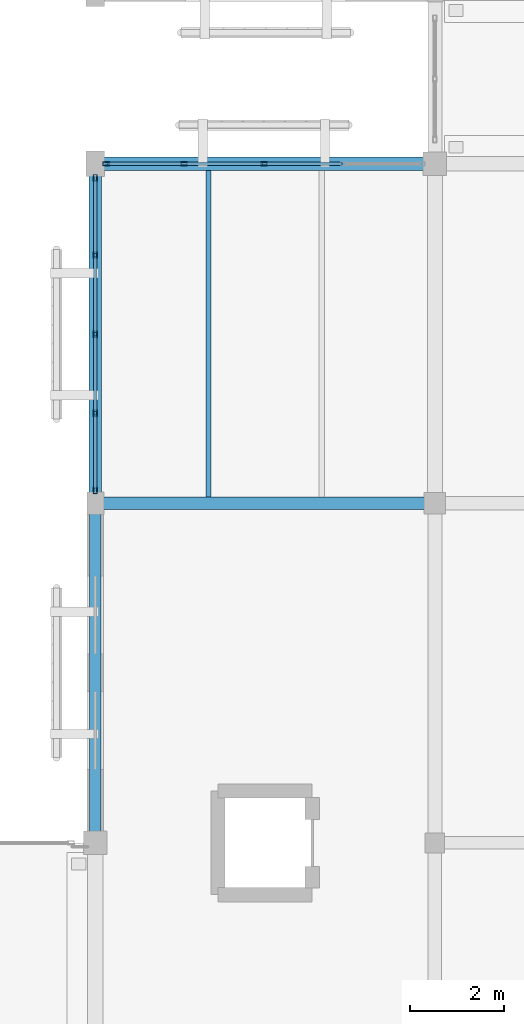
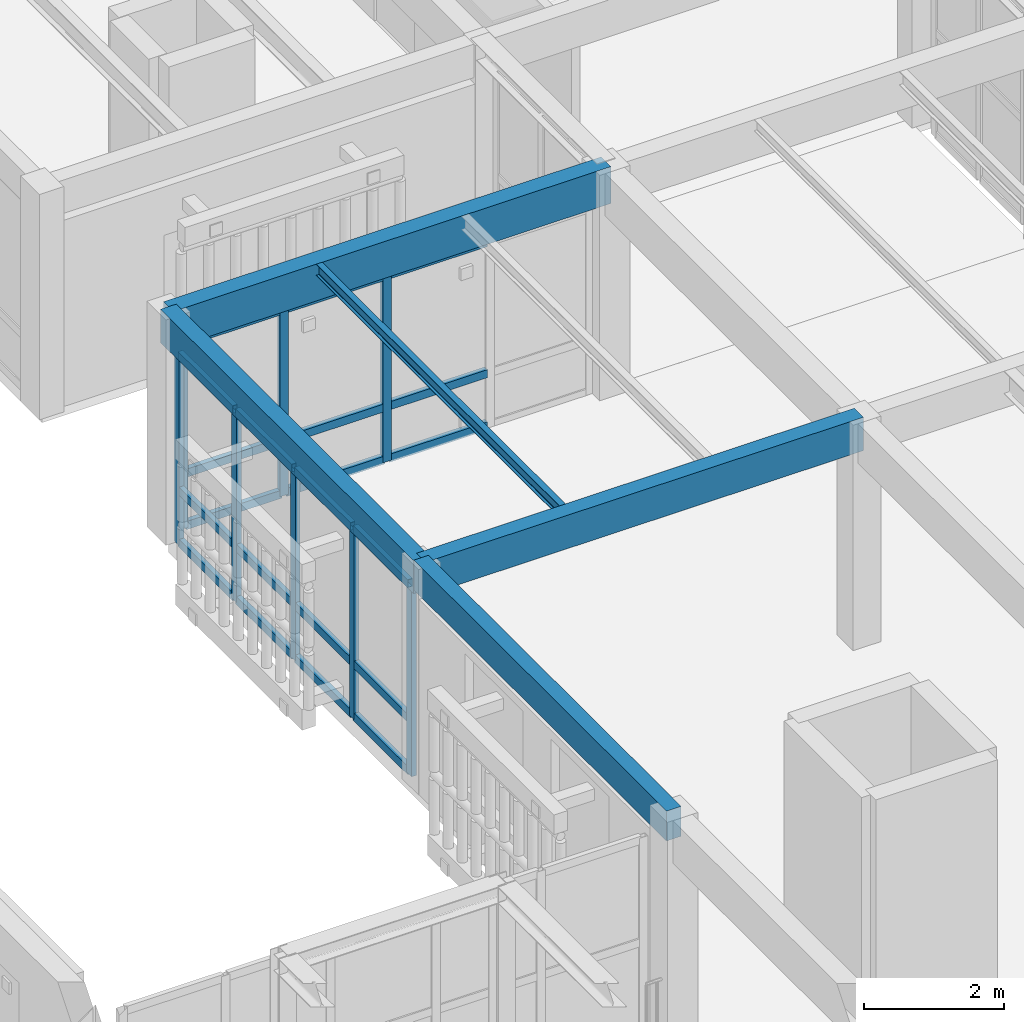
# One storey, part 52 of 217: 29 members, 5 beams, 2 elements without a shape of their own.
"""IFC4 building model written with IfcOpenShell, lengths in metres."""

from ifc_helpers import new_model, si_unit, direction, frame, origin, origin_2d, place, context, subcontext, project, spatial, rectangle, hollow_rectangle, i_section, extrude, material, layer, layer_set, material_profile, profile_set, type_object, element, aggregate, save


model = new_model("IFC4")

# Units and contexts
model_context = context("Model", 3, precision=1e-05, world=origin(), true_north=direction((0.0, 1.0)))
body_context = subcontext(model_context, "Body", "Model", "MODEL_VIEW")
ifc_project = project(units=[si_unit("LENGTHUNIT", "METRE"), si_unit("AREAUNIT", "SQUARE_METRE"), si_unit("VOLUMEUNIT", "CUBIC_METRE"), si_unit("PLANEANGLEUNIT", "RADIAN"), si_unit("MASSUNIT", "GRAM", prefix="KILO")], contexts=[model_context])

# Site, building, storey
site_placement = place(None, origin())
site = spatial("IfcSite", under=ifc_project, at=site_placement, CompositionType="ELEMENT")
building_placement = place(site_placement, origin())
building = spatial("IfcBuilding", under=site, at=building_placement, Name="Mazaris Harbour Polytechnic", CompositionType="ELEMENT")
storey_placement = place(building_placement, frame((0.0, 0.0, 9.60009765625)))
storey = spatial("IfcBuildingStorey", under=building, at=storey_placement, Name="L02", CompositionType="ELEMENT", Elevation=9.60009765625)

# Curtain wall, members
ifc_material_1 = material(Name="Anodised Bronze Aluminium and Low-E Glass", Category="aluminium")
ifc_layer = layer(ifc_material_1, 0.159912109375, Name="Anodised Bronze Aluminium and Low-E Glass")
ifc_layer_set = layer_set([ifc_layer], Name="Anodised Bronze Aluminium and Low-E Glass")
curtain_wall_type = type_object("IfcCurtainWallType", Name="Cloister Court Curtain Wall", PredefinedType="NOTDEFINED", material=ifc_layer_set)
curtain_wall_1_placement = place(storey_placement, origin())
curtain_wall_1 = element("IfcCurtainWall", 1, at=curtain_wall_1_placement, inside=storey, type_object=curtain_wall_type, Name="V2 L02 Curtain Wall 49", PredefinedType="NOTDEFINED")
ifc_material_2 = material(Name="Anodised Bronze Steel S355", Category="steel")
ifc_material_profile_1 = material_profile(ifc_material_2, hollow_rectangle(XDim=0.080078125, YDim=0.139892578125, WallThickness=0.00634765625, at=origin_2d()), Name="RHS 80x140x6.3")
ifc_profile_set_1 = profile_set([ifc_material_profile_1], Name="Anodised Bronze Steel S355")
member_type_1 = type_object("IfcMemberType", Name="Curtain Mullion RHS80x140", PredefinedType="MULLION", material=ifc_profile_set_1)
member_1_placement = place(storey_placement, frame((122.632080078125, 43.199951171875, 0.0), z_axis=(0.0, 0.0, 1.0), x_axis=(0.0, 1.0, 0.0)))
member_1 = element("IfcMember", 2, at=member_1_placement, type_object=member_type_1, Name="CW-02 mullion 1", PredefinedType="MULLION", context=body_context, shape_type="SweptSolid", body=[
    extrude(hollow_rectangle(XDim=0.080078125, YDim=0.139892578125, WallThickness=0.00634765625, at=origin_2d()), origin(), (0.0, 0.0, 1.0), 3.27001953125),
])
member_2_placement = place(storey_placement, frame((124.283447265625, 43.199951171875, 0.0), z_axis=(0.0, 0.0, 1.0), x_axis=(0.0, 1.0, 0.0)))
member_2 = element("IfcMember", 3, at=member_2_placement, type_object=member_type_1, Name="CW-02 mullion 2", PredefinedType="MULLION", context=body_context, shape_type="SweptSolid", body=[
    extrude(hollow_rectangle(XDim=0.080078125, YDim=0.139892578125, WallThickness=0.00634765625, at=origin_2d()), origin(), (0.0, 0.0, 1.0), 3.27001953125),
])
member_3_placement = place(storey_placement, frame((125.97509765625, 43.199951171875, 0.0), z_axis=(0.0, 0.0, 1.0), x_axis=(0.0, 1.0, 0.0)))
member_3 = element("IfcMember", 4, at=member_3_placement, type_object=member_type_1, Name="CW-02 mullion 3", PredefinedType="MULLION", context=body_context, shape_type="SweptSolid", body=[
    extrude(hollow_rectangle(XDim=0.080078125, YDim=0.139892578125, WallThickness=0.00634765625, at=origin_2d()), origin(), (0.0, 0.0, 1.0), 3.27001953125),
])

curtain_wall_2_placement = place(storey_placement, origin())
curtain_wall_2 = element("IfcCurtainWall", 5, at=curtain_wall_2_placement, inside=storey, type_object=curtain_wall_type, Name="V2 L02 Curtain Wall 54", PredefinedType="NOTDEFINED")
member_4_placement = place(storey_placement, frame((122.39990234375, 36.27197265625, 0.0), z_axis=(0.0, 0.0, 1.0), x_axis=(-1.0, 0.0, 0.0)))
member_4 = element("IfcMember", 6, at=member_4_placement, type_object=member_type_1, Name="CW-02 mullion 1", PredefinedType="MULLION", context=body_context, shape_type="SweptSolid", body=[
    extrude(hollow_rectangle(XDim=0.080078125, YDim=0.139892578125, WallThickness=0.00634765625, at=origin_2d()), origin(), (0.0, 0.0, 1.0), 3.329833984375),
])
member_5_placement = place(storey_placement, frame((122.39990234375, 37.908447265625, 0.0), z_axis=(0.0, 0.0, 1.0), x_axis=(-1.0, 0.0, 0.0)))
member_5 = element("IfcMember", 7, at=member_5_placement, type_object=member_type_1, Name="CW-02 mullion 2", PredefinedType="MULLION", context=body_context, shape_type="SweptSolid", body=[
    extrude(hollow_rectangle(XDim=0.080078125, YDim=0.139892578125, WallThickness=0.00634765625, at=origin_2d()), origin(), (0.0, 0.0, 1.0), 3.329833984375),
])
member_6_placement = place(storey_placement, frame((122.39990234375, 39.5849609375, 0.0), z_axis=(0.0, 0.0, 1.0), x_axis=(-1.0, 0.0, 0.0)))
member_6 = element("IfcMember", 8, at=member_6_placement, type_object=member_type_1, Name="CW-02 mullion 3", PredefinedType="MULLION", context=body_context, shape_type="SweptSolid", body=[
    extrude(hollow_rectangle(XDim=0.080078125, YDim=0.139892578125, WallThickness=0.00634765625, at=origin_2d()), origin(), (0.0, 0.0, 1.0), 3.329833984375),
])
member_7_placement = place(storey_placement, frame((122.39990234375, 41.261474609375, 0.0), z_axis=(0.0, 0.0, 1.0), x_axis=(-1.0, 0.0, 0.0)))
member_7 = element("IfcMember", 9, at=member_7_placement, type_object=member_type_1, Name="CW-02 mullion 4", PredefinedType="MULLION", context=body_context, shape_type="SweptSolid", body=[
    extrude(hollow_rectangle(XDim=0.080078125, YDim=0.139892578125, WallThickness=0.00634765625, at=origin_2d()), origin(), (0.0, 0.0, 1.0), 3.329833984375),
])
member_8_placement = place(storey_placement, frame((122.39990234375, 42.89794921875, 0.0), z_axis=(0.0, 0.0, 1.0), x_axis=(-1.0, 0.0, 0.0)))
member_8 = element("IfcMember", 10, at=member_8_placement, type_object=member_type_1, Name="CW-02 mullion 5", PredefinedType="MULLION", context=body_context, shape_type="SweptSolid", body=[
    extrude(hollow_rectangle(XDim=0.080078125, YDim=0.139892578125, WallThickness=0.00634765625, at=origin_2d()), origin(), (0.0, 0.0, 1.0), 3.329833984375),
])

# Member
ifc_material_3 = material(Name="Anodised Bronze Steel S355", Category="steel")
ifc_material_profile_2 = material_profile(ifc_material_3, hollow_rectangle(XDim=0.080078125, YDim=0.139892578125, WallThickness=0.00634765625, at=origin_2d()), Name="RHS 80x140x6.3")
ifc_profile_set_2 = profile_set([ifc_material_profile_2], Name="Anodised Bronze Steel S355")
member_type_2 = type_object("IfcMemberType", Name="Curtain Transom RHS80x140", PredefinedType="USERDEFINED", material=ifc_profile_set_2)
member_9_placement = place(storey_placement, frame((122.672119140625, 43.199951171875, 0.039794921875), z_axis=(1.0, 0.0, 0.0), x_axis=(0.0, 1.0, 0.0)))
member_9 = element("IfcMember", 11, at=member_9_placement, type_object=member_type_2, Name="CW-02 transom 1.1", ObjectType="TRANSOM", PredefinedType="USERDEFINED", context=body_context, shape_type="SweptSolid", body=[
    extrude(hollow_rectangle(XDim=0.080078125, YDim=0.139892578125, WallThickness=0.00634765625, at=origin_2d()), origin(), (0.0, 0.0, 1.0), 1.5712890625),
])

member_10_placement = place(storey_placement, frame((122.672119140625, 43.199951171875, 0.949951171875), z_axis=(1.0, 0.0, 0.0), x_axis=(0.0, 1.0, 0.0)))
member_10 = element("IfcMember", 12, at=member_10_placement, type_object=member_type_2, Name="CW-02 transom 1.2", ObjectType="TRANSOM", PredefinedType="USERDEFINED", context=body_context, shape_type="SweptSolid", body=[
    extrude(hollow_rectangle(XDim=0.080078125, YDim=0.139892578125, WallThickness=0.00634765625, at=origin_2d()), origin(), (0.0, 0.0, 1.0), 1.5712890625),
])

member_11_placement = place(storey_placement, frame((122.672119140625, 43.199951171875, 3.22998046875), z_axis=(1.0, 0.0, 0.0), x_axis=(0.0, 1.0, 0.0)))
member_11 = element("IfcMember", 13, at=member_11_placement, type_object=member_type_2, Name="CW-02 transom 1.3", ObjectType="TRANSOM", PredefinedType="USERDEFINED", context=body_context, shape_type="SweptSolid", body=[
    extrude(hollow_rectangle(XDim=0.080078125, YDim=0.139892578125, WallThickness=0.00634765625, at=origin_2d()), origin(), (0.0, 0.0, 1.0), 1.5712890625),
])

member_12_placement = place(storey_placement, frame((124.323486328125, 43.199951171875, 0.039794921875), z_axis=(1.0, 0.0, 0.0), x_axis=(0.0, 1.0, 0.0)))
member_12 = element("IfcMember", 14, at=member_12_placement, type_object=member_type_2, Name="CW-02 transom 2.1", ObjectType="TRANSOM", PredefinedType="USERDEFINED", context=body_context, shape_type="SweptSolid", body=[
    extrude(hollow_rectangle(XDim=0.080078125, YDim=0.139892578125, WallThickness=0.00634765625, at=origin_2d()), origin(), (0.0, 0.0, 1.0), 1.611572265625),
])

member_13_placement = place(storey_placement, frame((124.323486328125, 43.199951171875, 0.949951171875), z_axis=(1.0, 0.0, 0.0), x_axis=(0.0, 1.0, 0.0)))
member_13 = element("IfcMember", 15, at=member_13_placement, type_object=member_type_2, Name="CW-02 transom 2.2", ObjectType="TRANSOM", PredefinedType="USERDEFINED", context=body_context, shape_type="SweptSolid", body=[
    extrude(hollow_rectangle(XDim=0.080078125, YDim=0.139892578125, WallThickness=0.00634765625, at=origin_2d()), origin(), (0.0, 0.0, 1.0), 1.611572265625),
])

member_14_placement = place(storey_placement, frame((124.323486328125, 43.199951171875, 3.22998046875), z_axis=(1.0, 0.0, 0.0), x_axis=(0.0, 1.0, 0.0)))
member_14 = element("IfcMember", 16, at=member_14_placement, type_object=member_type_2, Name="CW-02 transom 2.3", ObjectType="TRANSOM", PredefinedType="USERDEFINED", context=body_context, shape_type="SweptSolid", body=[
    extrude(hollow_rectangle(XDim=0.080078125, YDim=0.139892578125, WallThickness=0.00634765625, at=origin_2d()), origin(), (0.0, 0.0, 1.0), 1.611572265625),
])

member_15_placement = place(storey_placement, frame((126.014892578125, 43.199951171875, 0.039794921875), z_axis=(1.0, 0.0, 0.0), x_axis=(0.0, 1.0, 0.0)))
member_15 = element("IfcMember", 17, at=member_15_placement, type_object=member_type_2, Name="CW-02 transom 3.1", ObjectType="TRANSOM", PredefinedType="USERDEFINED", context=body_context, shape_type="SweptSolid", body=[
    extrude(hollow_rectangle(XDim=0.080078125, YDim=0.139892578125, WallThickness=0.00634765625, at=origin_2d()), origin(), (0.0, 0.0, 1.0), 1.611572265625),
])

member_16_placement = place(storey_placement, frame((126.014892578125, 43.199951171875, 0.949951171875), z_axis=(1.0, 0.0, 0.0), x_axis=(0.0, 1.0, 0.0)))
member_16 = element("IfcMember", 18, at=member_16_placement, type_object=member_type_2, Name="CW-02 transom 3.2", ObjectType="TRANSOM", PredefinedType="USERDEFINED", context=body_context, shape_type="SweptSolid", body=[
    extrude(hollow_rectangle(XDim=0.080078125, YDim=0.139892578125, WallThickness=0.00634765625, at=origin_2d()), origin(), (0.0, 0.0, 1.0), 1.611572265625),
])

member_17_placement = place(storey_placement, frame((126.014892578125, 43.199951171875, 3.22998046875), z_axis=(1.0, 0.0, 0.0), x_axis=(0.0, 1.0, 0.0)))
member_17 = element("IfcMember", 19, at=member_17_placement, type_object=member_type_2, Name="CW-02 transom 3.3", ObjectType="TRANSOM", PredefinedType="USERDEFINED", context=body_context, shape_type="SweptSolid", body=[
    extrude(hollow_rectangle(XDim=0.080078125, YDim=0.139892578125, WallThickness=0.00634765625, at=origin_2d()), origin(), (0.0, 0.0, 1.0), 1.611572265625),
])

aggregate(curtain_wall_1, [member_1, member_2, member_3, member_9, member_10, member_11, member_12, member_13, member_14, member_15, member_16, member_17])

member_18_placement = place(storey_placement, frame((122.39990234375, 36.31201171875, 0.039794921875), z_axis=(0.0, 1.0, 0.0), x_axis=(-1.0, 0.0, 0.0)))
member_18 = element("IfcMember", 20, at=member_18_placement, type_object=member_type_2, Name="CW-02 transom 1.1", ObjectType="TRANSOM", PredefinedType="USERDEFINED", context=body_context, shape_type="SweptSolid", body=[
    extrude(hollow_rectangle(XDim=0.080078125, YDim=0.139892578125, WallThickness=0.00634765625, at=origin_2d()), origin(), (0.0, 0.0, 1.0), 1.556396484375),
])

member_19_placement = place(storey_placement, frame((122.39990234375, 36.31201171875, 0.949951171875), z_axis=(0.0, 1.0, 0.0), x_axis=(-1.0, 0.0, 0.0)))
member_19 = element("IfcMember", 21, at=member_19_placement, type_object=member_type_2, Name="CW-02 transom 1.2", ObjectType="TRANSOM", PredefinedType="USERDEFINED", context=body_context, shape_type="SweptSolid", body=[
    extrude(hollow_rectangle(XDim=0.080078125, YDim=0.139892578125, WallThickness=0.00634765625, at=origin_2d()), origin(), (0.0, 0.0, 1.0), 1.556396484375),
])

member_20_placement = place(storey_placement, frame((122.39990234375, 36.31201171875, 3.289794921875), z_axis=(0.0, 1.0, 0.0), x_axis=(-1.0, 0.0, 0.0)))
member_20 = element("IfcMember", 22, at=member_20_placement, type_object=member_type_2, Name="CW-02 transom 1.3", ObjectType="TRANSOM", PredefinedType="USERDEFINED", context=body_context, shape_type="SweptSolid", body=[
    extrude(hollow_rectangle(XDim=0.080078125, YDim=0.139892578125, WallThickness=0.00634765625, at=origin_2d()), origin(), (0.0, 0.0, 1.0), 1.556396484375),
])

member_21_placement = place(storey_placement, frame((122.39990234375, 37.948486328125, 0.039794921875), z_axis=(0.0, 1.0, 0.0), x_axis=(-1.0, 0.0, 0.0)))
member_21 = element("IfcMember", 23, at=member_21_placement, type_object=member_type_2, Name="CW-02 transom 2.1", ObjectType="TRANSOM", PredefinedType="USERDEFINED", context=body_context, shape_type="SweptSolid", body=[
    extrude(hollow_rectangle(XDim=0.080078125, YDim=0.139892578125, WallThickness=0.00634765625, at=origin_2d()), origin(), (0.0, 0.0, 1.0), 1.596435546875),
])

member_22_placement = place(storey_placement, frame((122.39990234375, 37.948486328125, 0.949951171875), z_axis=(0.0, 1.0, 0.0), x_axis=(-1.0, 0.0, 0.0)))
member_22 = element("IfcMember", 24, at=member_22_placement, type_object=member_type_2, Name="CW-02 transom 2.2", ObjectType="TRANSOM", PredefinedType="USERDEFINED", context=body_context, shape_type="SweptSolid", body=[
    extrude(hollow_rectangle(XDim=0.080078125, YDim=0.139892578125, WallThickness=0.00634765625, at=origin_2d()), origin(), (0.0, 0.0, 1.0), 1.596435546875),
])

member_23_placement = place(storey_placement, frame((122.39990234375, 37.948486328125, 3.289794921875), z_axis=(0.0, 1.0, 0.0), x_axis=(-1.0, 0.0, 0.0)))
member_23 = element("IfcMember", 25, at=member_23_placement, type_object=member_type_2, Name="CW-02 transom 2.3", ObjectType="TRANSOM", PredefinedType="USERDEFINED", context=body_context, shape_type="SweptSolid", body=[
    extrude(hollow_rectangle(XDim=0.080078125, YDim=0.139892578125, WallThickness=0.00634765625, at=origin_2d()), origin(), (0.0, 0.0, 1.0), 1.596435546875),
])

member_24_placement = place(storey_placement, frame((122.39990234375, 39.625, 0.039794921875), z_axis=(0.0, 1.0, 0.0), x_axis=(-1.0, 0.0, 0.0)))
member_24 = element("IfcMember", 26, at=member_24_placement, type_object=member_type_2, Name="CW-02 transom 3.1", ObjectType="TRANSOM", PredefinedType="USERDEFINED", context=body_context, shape_type="SweptSolid", body=[
    extrude(hollow_rectangle(XDim=0.080078125, YDim=0.139892578125, WallThickness=0.00634765625, at=origin_2d()), origin(), (0.0, 0.0, 1.0), 1.596435546875),
])

member_25_placement = place(storey_placement, frame((122.39990234375, 39.625, 0.949951171875), z_axis=(0.0, 1.0, 0.0), x_axis=(-1.0, 0.0, 0.0)))
member_25 = element("IfcMember", 27, at=member_25_placement, type_object=member_type_2, Name="CW-02 transom 3.2", ObjectType="TRANSOM", PredefinedType="USERDEFINED", context=body_context, shape_type="SweptSolid", body=[
    extrude(hollow_rectangle(XDim=0.080078125, YDim=0.139892578125, WallThickness=0.00634765625, at=origin_2d()), origin(), (0.0, 0.0, 1.0), 1.596435546875),
])

member_26_placement = place(storey_placement, frame((122.39990234375, 39.625, 3.289794921875), z_axis=(0.0, 1.0, 0.0), x_axis=(-1.0, 0.0, 0.0)))
member_26 = element("IfcMember", 28, at=member_26_placement, type_object=member_type_2, Name="CW-02 transom 3.3", ObjectType="TRANSOM", PredefinedType="USERDEFINED", context=body_context, shape_type="SweptSolid", body=[
    extrude(hollow_rectangle(XDim=0.080078125, YDim=0.139892578125, WallThickness=0.00634765625, at=origin_2d()), origin(), (0.0, 0.0, 1.0), 1.596435546875),
])

member_27_placement = place(storey_placement, frame((122.39990234375, 41.301513671875, 0.039794921875), z_axis=(0.0, 1.0, 0.0), x_axis=(-1.0, 0.0, 0.0)))
member_27 = element("IfcMember", 29, at=member_27_placement, type_object=member_type_2, Name="CW-02 transom 4.1", ObjectType="TRANSOM", PredefinedType="USERDEFINED", context=body_context, shape_type="SweptSolid", body=[
    extrude(hollow_rectangle(XDim=0.080078125, YDim=0.139892578125, WallThickness=0.00634765625, at=origin_2d()), origin(), (0.0, 0.0, 1.0), 1.556396484375),
])

member_28_placement = place(storey_placement, frame((122.39990234375, 41.301513671875, 0.949951171875), z_axis=(0.0, 1.0, 0.0), x_axis=(-1.0, 0.0, 0.0)))
member_28 = element("IfcMember", 30, at=member_28_placement, type_object=member_type_2, Name="CW-02 transom 4.2", ObjectType="TRANSOM", PredefinedType="USERDEFINED", context=body_context, shape_type="SweptSolid", body=[
    extrude(hollow_rectangle(XDim=0.080078125, YDim=0.139892578125, WallThickness=0.00634765625, at=origin_2d()), origin(), (0.0, 0.0, 1.0), 1.556396484375),
])

member_29_placement = place(storey_placement, frame((122.39990234375, 41.301513671875, 3.289794921875), z_axis=(0.0, 1.0, 0.0), x_axis=(-1.0, 0.0, 0.0)))
member_29 = element("IfcMember", 31, at=member_29_placement, type_object=member_type_2, Name="CW-02 transom 4.3", ObjectType="TRANSOM", PredefinedType="USERDEFINED", context=body_context, shape_type="SweptSolid", body=[
    extrude(hollow_rectangle(XDim=0.080078125, YDim=0.139892578125, WallThickness=0.00634765625, at=origin_2d()), origin(), (0.0, 0.0, 1.0), 1.556396484375),
])

aggregate(curtain_wall_2, [member_4, member_5, member_6, member_7, member_8, member_18, member_19, member_20, member_21, member_22, member_23, member_24, member_25, member_26, member_27, member_28, member_29])

# Beams
ifc_material_4 = material(Name="Glulam GL32h", Category="wood")
ifc_material_profile_3 = material_profile(ifc_material_4, rectangle(XDim=0.239990234375, YDim=0.52001953125, at=origin_2d()), Name="RECT240x520")
ifc_profile_set_3 = profile_set([ifc_material_profile_3], Name="Glulam GL32h")
beam_type_1 = type_object("IfcBeamType", Name="Glulam Girder 240x520 Exterior", PredefinedType="BEAM", material=ifc_profile_set_3)
beam_1_placement = place(storey_placement, frame((122.39990234375, 28.800048828125, 3.659912109375), z_axis=(0.0, 1.0, 0.0), x_axis=(-1.0, 0.0, 0.0)))
element("IfcBeam", 32, at=beam_1_placement, inside=storey, type_object=beam_type_1, Name="V2 L02 Tie Girder 675", PredefinedType="BEAM", context=body_context, shape_type="SweptSolid", body=[
    extrude(rectangle(XDim=0.239990234375, YDim=0.52001953125, at=origin_2d()), origin(), (0.0, 0.0, 1.0), 7.199951171875),
])
ifc_material_5 = material(Name="Glulam GL32h", Category="wood")
ifc_material_profile_4 = material_profile(ifc_material_5, rectangle(XDim=0.260009765625, YDim=0.580078125, at=origin_2d()), Name="RECT260x580")
ifc_profile_set_4 = profile_set([ifc_material_profile_4], Name="Glulam GL32h")
beam_type_2 = type_object("IfcBeamType", Name="Glulam Girder 260x580", PredefinedType="BEAM", material=ifc_profile_set_4)
beam_2_placement = place(storey_placement, frame((122.39990234375, 36.0, 3.6298828125), z_axis=(1.0, 0.0, 0.0), x_axis=(0.0, 1.0, 0.0)))
element("IfcBeam", 33, at=beam_2_placement, inside=storey, type_object=beam_type_2, Name="V2 L02 Girder 661", PredefinedType="BEAM", context=body_context, shape_type="SweptSolid", body=[
    extrude(rectangle(XDim=0.260009765625, YDim=0.580078125, at=origin_2d()), origin(), (0.0, 0.0, 1.0), 7.2001953125),
])
ifc_material_6 = material(Name="Glulam GL32h", Category="wood")
ifc_material_profile_5 = material_profile(ifc_material_6, rectangle(XDim=0.260009765625, YDim=0.580078125, at=origin_2d()), Name="RECT260x580")
ifc_profile_set_5 = profile_set([ifc_material_profile_5], Name="Glulam GL32h")
beam_type_3 = type_object("IfcBeamType", Name="Glulam Girder 260x580 Exterior", PredefinedType="BEAM", material=ifc_profile_set_5)
beam_3_placement = place(storey_placement, frame((122.39990234375, 36.0, 3.6298828125), z_axis=(0.0, 1.0, 0.0), x_axis=(-1.0, 0.0, 0.0)))
element("IfcBeam", 34, at=beam_3_placement, inside=storey, type_object=beam_type_3, Name="V2 L02 Tie Girder 676", PredefinedType="BEAM", context=body_context, shape_type="SweptSolid", body=[
    extrude(rectangle(XDim=0.260009765625, YDim=0.580078125, at=origin_2d()), origin(), (0.0, 0.0, 1.0), 7.199951171875),
])
ifc_material_7 = material(Name="Glulam GL32h", Category="wood")
ifc_material_profile_6 = material_profile(ifc_material_7, rectangle(XDim=0.280029296875, YDim=0.639892578125, at=origin_2d()), Name="RECT280x640")
ifc_profile_set_6 = profile_set([ifc_material_profile_6], Name="Glulam GL32h")
beam_type_4 = type_object("IfcBeamType", Name="Glulam Girder 280x640 Exterior", PredefinedType="BEAM", material=ifc_profile_set_6)
beam_4_placement = place(storey_placement, frame((122.39990234375, 43.199951171875, 3.599853515625), z_axis=(1.0, 0.0, 0.0), x_axis=(0.0, 1.0, 0.0)))
element("IfcBeam", 35, at=beam_4_placement, inside=storey, type_object=beam_type_4, Name="V2 L02 Girder 667", PredefinedType="BEAM", context=body_context, shape_type="SweptSolid", body=[
    extrude(rectangle(XDim=0.280029296875, YDim=0.639892578125, at=origin_2d()), origin(), (0.0, 0.0, 1.0), 7.2001953125),
])
ifc_material_8 = material(Name="Steel S355", Category="steel")
ifc_material_profile_7 = material_profile(ifc_material_8, i_section(OverallWidth=0.10009765625, OverallDepth=0.199951171875, WebThickness=0.005615234375, FlangeThickness=0.008544921875, FilletRadius=0.011962890625, at=origin_2d()), Name="IPE 200")
ifc_profile_set_7 = profile_set([ifc_material_profile_7], Name="Steel S355")
beam_type_5 = type_object("IfcBeamType", Name="Steel Joist IPE200", PredefinedType="JOIST", material=ifc_profile_set_7)
beam_5_placement = place(storey_placement, frame((124.800048828125, 36.1298828125, 3.81982421875), z_axis=(0.0, 1.0, 0.0), x_axis=(-1.0, 0.0, 0.0)))
element("IfcBeam", 36, at=beam_5_placement, inside=storey, type_object=beam_type_5, Name="V2 L02 Floor Joist 700", PredefinedType="JOIST", context=body_context, shape_type="SweptSolid", body=[
    extrude(i_section(OverallWidth=0.10009765625, OverallDepth=0.199951171875, WebThickness=0.005615234375, FlangeThickness=0.008544921875, FilletRadius=0.011962890625, at=origin_2d()), origin(), (0.0, 0.0, 1.0), 6.93017578125),
])

save(model, "model.ifc")
